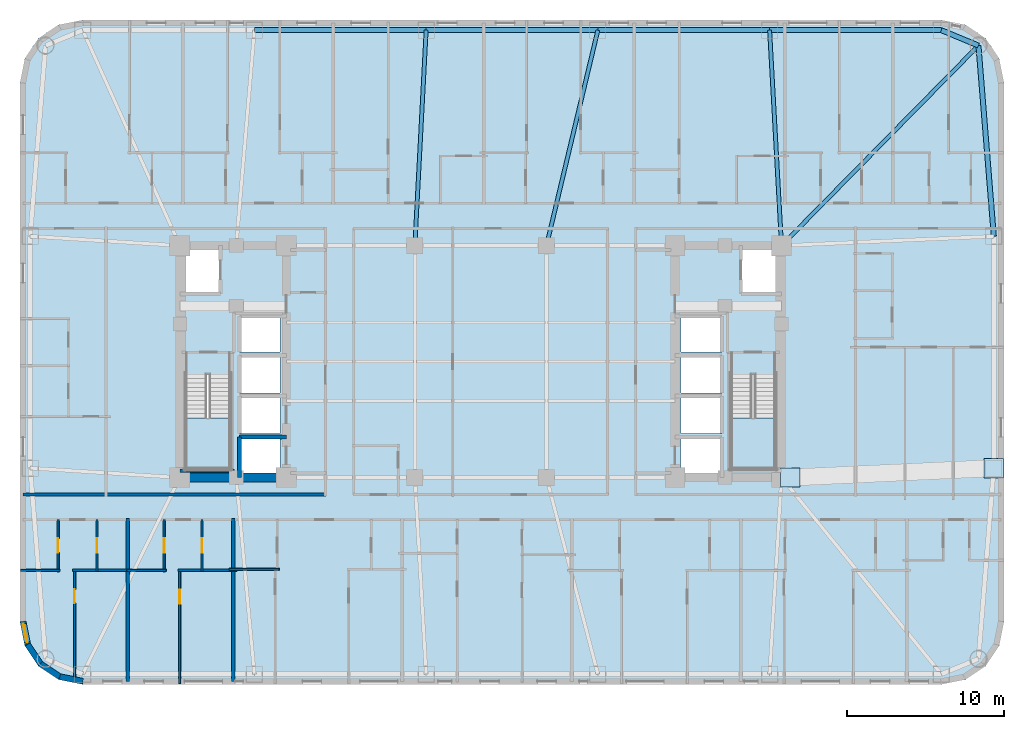
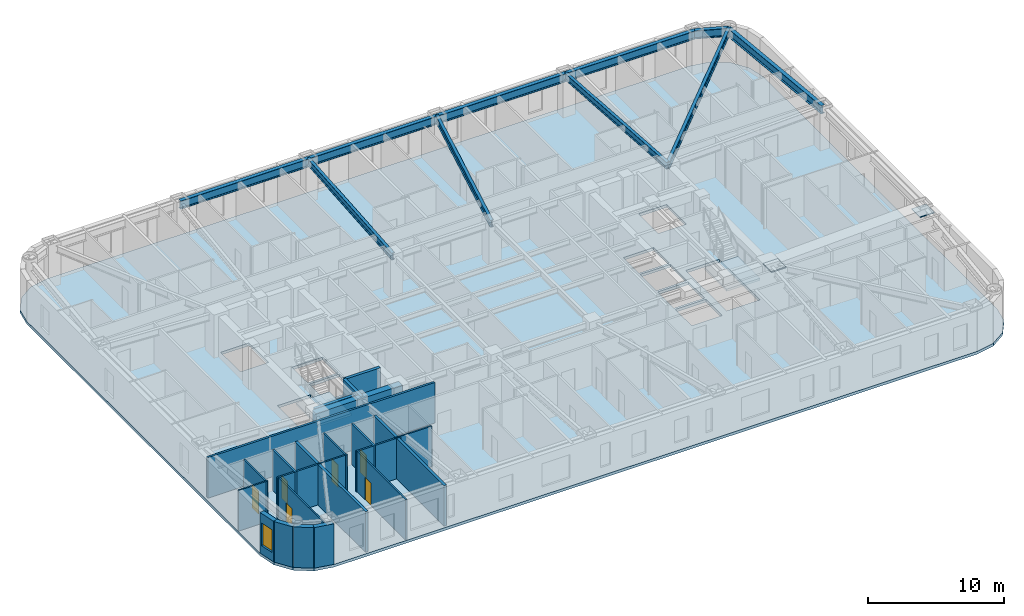
# One storey, part 2 of 11: 22 walls, 10 beams, 6 doors, 3 slabs, 2 plates, 1 window, 7 openings, 2 elements without a shape of their own.
"""IFC4 building model written with IfcOpenShell, lengths in metres."""

from ifc_helpers import new_model, si_unit, direction, frame, frame_2d, origin, origin_2d, place, context, subcontext, project, spatial, polyline, rectangle, i_section, outline, extrude, material, layer, layer_set, material_profile, profile_set, type_object, element, fill, aggregate, save


model = new_model("IFC4")

# Units and contexts
model_context = context("Model", 3, precision=1e-05, world=origin(), true_north=direction((0.0, 1.0)))
body_context = subcontext(model_context, "Body", "Model", "MODEL_VIEW")
ifc_project = project(units=[si_unit("LENGTHUNIT", "METRE"), si_unit("AREAUNIT", "SQUARE_METRE"), si_unit("VOLUMEUNIT", "CUBIC_METRE"), si_unit("PLANEANGLEUNIT", "RADIAN"), si_unit("MASSUNIT", "GRAM", prefix="KILO")], contexts=[model_context])

# Site, building, storey
site_placement = place(None, origin())
site = spatial("IfcSite", under=ifc_project, at=site_placement, CompositionType="ELEMENT")
building_placement = place(site_placement, origin())
building = spatial("IfcBuilding", under=site, at=building_placement, Name="Voryun Gate Residences", CompositionType="ELEMENT")
storey_placement = place(building_placement, frame((0.0, 0.0, 97.5)))
storey = spatial("IfcBuildingStorey", under=building, at=storey_placement, Name="L23", CompositionType="ELEMENT", Elevation=97.5)

# Beams
ifc_material_1 = material(Name="Steel SM355", Category="steel")
ifc_material_profile_1 = material_profile(ifc_material_1, i_section(OverallWidth=0.320068359375, OverallDepth=0.75, WebThickness=0.01611328125, FlangeThickness=0.028076171875, FilletRadius=0.01806640625, at=origin_2d()), Name="H-750x320x16x28")
ifc_profile_set_1 = profile_set([ifc_material_profile_1], Name="Steel SM355")
beam_type_1 = type_object("IfcBeamType", Name="BM_EXO_SPANDREL_L", PredefinedType="SPANDREL", material=ifc_profile_set_1)
beam_1_placement = place(storey_placement, frame((32.75, 7.998046875, 3.27490234375), z_axis=(-0.080359517973, 0.996765944378, 0.0), x_axis=(-0.996765944378, -0.080359517973, 0.0)))
element("IfcBeam", 1, at=beam_1_placement, inside=storey, type_object=beam_type_1, Name="BM-L23-SPAND-09", PredefinedType="SPANDREL", context=body_context, shape_type="SweptSolid", body=[
    extrude(i_section(OverallWidth=0.320068359375, OverallDepth=0.75, WebThickness=0.01611328125, FlangeThickness=0.028076171875, FilletRadius=0.01806640625, at=origin_2d()), origin(), (0.0, 0.0, 1.0), 12.210205078125),
])
beam_2_placement = place(storey_placement, frame((31.768798828125, 20.168701171875, 3.27490234375), z_axis=(-0.923883376753, 0.382674151414, 0.0), x_axis=(-0.382674151414, -0.923883376753, 0.0)))
element("IfcBeam", 2, at=beam_2_placement, inside=storey, type_object=beam_type_1, Name="BM-L23-SPAND-10", PredefinedType="SPANDREL", context=body_context, shape_type="SweptSolid", body=[
    extrude(i_section(OverallWidth=0.320068359375, OverallDepth=0.75, WebThickness=0.01611328125, FlangeThickness=0.028076171875, FilletRadius=0.01806640625, at=origin_2d()), origin(), (0.0, 0.0, 1.0), 2.56396484375),
])
for number, where, z_axis, x_axis, name in (
    (3, (29.39990234375, 21.14990234375, 3.27490234375), (-1.0, 0.0, 0.0), (0.0, -1.0, 0.0), "BM-L23-SPAND-11"),
    (4, (18.43994140625, 21.14990234375, 3.27490234375), (-1.0, 0.0, 0.0), (0.0, -1.0, 0.0), "BM-L23-SPAND-12"),
    (5, (7.47998046875, 21.14990234375, 3.27490234375), (-1.0, 0.0, 0.0), (0.0, -1.0, 0.0), "BM-L23-SPAND-13"),
    (6, (-3.47998046875, 21.14990234375, 3.27490234375), (-1.0, 0.0, 0.0), (0.0, -1.0, 0.0), "BM-L23-SPAND-14"),
):
    element("IfcBeam", number, at=place(storey_placement, frame(where, z_axis=z_axis, x_axis=x_axis)), inside=storey, type_object=beam_type_1, Name=name, PredefinedType="SPANDREL", context=body_context, shape_type="SweptSolid", body=[
        extrude(i_section(OverallWidth=0.320068359375, OverallDepth=0.75, WebThickness=0.01611328125, FlangeThickness=0.028076171875, FilletRadius=0.01806640625, at=origin_2d()), origin(), (0.0, 0.0, 1.0), 10.9599609375),
    ])
ifc_material_2 = material(Name="Steel SM355", Category="steel")
ifc_material_profile_2 = material_profile(ifc_material_2, i_section(OverallWidth=0.25, OverallDepth=0.60009765625, WebThickness=0.011962890625, FlangeThickness=0.02197265625, FilletRadius=0.01806640625, at=origin_2d()), Name="H-600x250x12x22")
ifc_profile_set_2 = profile_set([ifc_material_profile_2], Name="Steel SM355")
beam_type_2 = type_object("IfcBeamType", Name="BM_GIRD_600", PredefinedType="USERDEFINED", material=ifc_profile_set_2)
beam_3_placement = place(storey_placement, frame((19.199951171875, 7.39990234375, 3.35009765625), z_axis=(0.701504829324, 0.712664699866, 0.0), x_axis=(-0.712664699866, 0.701504829324, 0.0)))
element("IfcBeam", 7, at=beam_3_placement, inside=storey, type_object=beam_type_2, Name="BM-L23-RAD-CNE", ObjectType="GIRDER", PredefinedType="USERDEFINED", context=body_context, shape_type="SweptSolid", body=[
    extrude(i_section(OverallWidth=0.25, OverallDepth=0.60009765625, WebThickness=0.011962890625, FlangeThickness=0.02197265625, FilletRadius=0.01806640625, at=origin_2d()), origin(), (0.0, 0.0, 1.0), 17.9169921875),
])
beam_4_placement = place(storey_placement, frame((19.199951171875, 7.39990234375, 3.35009765625), z_axis=(-0.055189196078, 0.9984759149, 0.0), x_axis=(-0.9984759149, -0.055189196078, 0.0)))
element("IfcBeam", 8, at=beam_4_placement, inside=storey, type_object=beam_type_2, Name="BM-L23-RAD-N2", ObjectType="GIRDER", PredefinedType="USERDEFINED", context=body_context, shape_type="SweptSolid", body=[
    extrude(i_section(OverallWidth=0.25, OverallDepth=0.60009765625, WebThickness=0.011962890625, FlangeThickness=0.02197265625, FilletRadius=0.01806640625, at=origin_2d()), origin(), (0.0, 0.0, 1.0), 13.77099609375),
])
beam_5_placement = place(storey_placement, frame((4.199951171875, 7.39990234375, 3.35009765625), z_axis=(0.232036902087, 0.972706983665, 0.0), x_axis=(-0.972706983665, 0.232036902087, 0.0)))
element("IfcBeam", 9, at=beam_5_placement, inside=storey, type_object=beam_type_2, Name="BM-L23-RAD-N3", ObjectType="GIRDER", PredefinedType="USERDEFINED", context=body_context, shape_type="SweptSolid", body=[
    extrude(i_section(OverallWidth=0.25, OverallDepth=0.60009765625, WebThickness=0.011962890625, FlangeThickness=0.02197265625, FilletRadius=0.01806640625, at=origin_2d()), origin(), (0.0, 0.0, 1.0), 14.1357421875),
])
beam_6_placement = place(storey_placement, frame((-4.199951171875, 7.39990234375, 3.35009765625), z_axis=(0.052289872463, 0.998631948837, 0.0), x_axis=(-0.998631948837, 0.052289872463, 0.0)))
element("IfcBeam", 10, at=beam_6_placement, inside=storey, type_object=beam_type_2, Name="BM-L23-RAD-N4", ObjectType="GIRDER", PredefinedType="USERDEFINED", context=body_context, shape_type="SweptSolid", body=[
    extrude(i_section(OverallWidth=0.25, OverallDepth=0.60009765625, WebThickness=0.011962890625, FlangeThickness=0.02197265625, FilletRadius=0.01806640625, at=origin_2d()), origin(), (0.0, 0.0, 1.0), 13.768798828125),
])

# Plates
ifc_material_3 = material(Name="Steel SM355", Category="steel")
ifc_layer_1 = layer(ifc_material_3, 0.02490234375, Name="PLT_END_CAP_25")
ifc_layer_set_1 = layer_set([ifc_layer_1], Name="Steel SM355")
plate_type = type_object("IfcPlateType", Name="PLT_END_CAP_25", PredefinedType="USERDEFINED", material=ifc_layer_set_1)
for number, where, z_axis, x_axis, name in (
    (11, (19.75, -7.39990234375, 3.06005859375), (0.0, 0.0, 1.0), (1.0, 0.0, 0.0), "L23 Hollow Member End-Cap Plate EC-372"),
    (12, (32.75, -6.798095703125, 3.06005859375), (0.0, 0.0, 1.0), (1.0, 0.0, 0.0), "L23 Hollow Member End-Cap Plate EC-373"),
):
    element("IfcPlate", number, at=place(storey_placement, frame(where, z_axis=z_axis, x_axis=x_axis)), inside=storey, type_object=plate_type, Name=name, ObjectType="BASE_PLATE", PredefinedType="USERDEFINED", context=body_context, shape_type="SweptSolid", body=[
        extrude(rectangle(XDim=1.239990234375, YDim=1.239990234375, at=origin_2d()), origin(), (0.0, 0.0, 1.0), 0.080078125),
    ])

# Slab
ifc_material_4 = material(Name="Concrete C40/50", Category="concrete")
ifc_layer_2 = layer(ifc_material_4, 0.25, Name="SLB_RES_250")
ifc_layer_set_2 = layer_set([ifc_layer_2], Name="Concrete C40/50")
slab_type_1 = type_object("IfcSlabType", Name="SLB_RES_250", PredefinedType="FLOOR", material=ifc_layer_set_2)
slab_1_placement = place(storey_placement, frame((0.0, 0.0, -0.25)))
element("IfcSlab", 13, at=slab_1_placement, inside=storey, type_object=slab_type_1, Name="L23 Structural Floor Slab", PredefinedType="FLOOR", context=body_context, shape_type="SweptSolid", body=[
    extrude(outline(polyline([(-25.39990234375, -20.60009765625), (-26.9306640625, -20.29541015625), (-28.228515625, -19.428466796875), (-29.095458984375, -18.130615234375), (-29.39990234375, -16.60009765625), (-29.39990234375, 17.800048828125), (-29.095458984375, 19.330810546875), (-28.228515625, 20.62841796875), (-26.9306640625, 21.49560546875), (-25.39990234375, 21.800048828125), (29.39990234375, 21.800048828125), (30.9306640625, 21.49560546875), (32.228515625, 20.62841796875), (33.095458984375, 19.330810546875), (33.39990234375, 17.800048828125), (33.39990234375, -16.60009765625), (33.095458984375, -18.130615234375), (32.228515625, -19.428466796875), (30.9306640625, -20.29541015625), (29.39990234375, -20.60009765625), (-25.39990234375, -20.60009765625)]), holes=[polyline([(-12.800048828125, -4.800048828125), (-15.39990234375, -4.800048828125), (-15.39990234375, -7.199951171875), (-12.800048828125, -7.199951171875), (-12.800048828125, -4.800048828125)]), polyline([(-18.824951171875, -6.85009765625), (-15.97509765625, -6.85009765625), (-15.97509765625, -0.840087890625), (-18.824951171875, -0.840087890625), (-18.824951171875, -6.85009765625)]), polyline([(-12.800048828125, -4.60009765625), (-12.800048828125, -2.199951171875), (-15.39990234375, -2.199951171875), (-15.39990234375, -4.60009765625), (-12.800048828125, -4.60009765625)]), polyline([(-12.800048828125, 0.39990234375), (-15.39990234375, 0.39990234375), (-15.39990234375, -2.0), (-12.800048828125, -2.0), (-12.800048828125, 0.39990234375)]), polyline([(-12.800048828125, 0.60009765625), (-12.800048828125, 2.89990234375), (-15.39990234375, 2.89990234375), (-15.39990234375, 0.60009765625), (-12.800048828125, 0.60009765625)]), polyline([(-16.60009765625, 4.300048828125), (-16.60009765625, 7.199951171875), (-19.0, 7.199951171875), (-19.0, 4.300048828125), (-16.60009765625, 4.300048828125)]), polyline([(15.39990234375, -4.800048828125), (12.800048828125, -4.800048828125), (12.800048828125, -7.199951171875), (15.39990234375, -7.199951171875), (15.39990234375, -4.800048828125)]), polyline([(15.97509765625, -6.85009765625), (18.824951171875, -6.85009765625), (18.824951171875, -0.840087890625), (15.97509765625, -0.840087890625), (15.97509765625, -6.85009765625)]), polyline([(15.39990234375, -4.60009765625), (15.39990234375, -2.199951171875), (12.800048828125, -2.199951171875), (12.800048828125, -4.60009765625), (15.39990234375, -4.60009765625)]), polyline([(15.39990234375, 0.39990234375), (12.800048828125, 0.39990234375), (12.800048828125, -2.0), (15.39990234375, -2.0), (15.39990234375, 0.39990234375)]), polyline([(15.39990234375, 0.60009765625), (15.39990234375, 2.89990234375), (12.800048828125, 2.89990234375), (12.800048828125, 0.60009765625), (15.39990234375, 0.60009765625)]), polyline([(19.0, 4.300048828125), (19.0, 7.199951171875), (16.60009765625, 7.199951171875), (16.60009765625, 4.300048828125), (19.0, 4.300048828125)])]), origin(), (0.0, 0.0, 1.0), 0.25),
])

# Stair, slab
ifc_material_5 = material(Name="Concrete C40/50", Category="concrete")
stair_type = type_object("IfcStairType", Name="STR_CORE_DOGLEG_1350", PredefinedType="HALF_TURN_STAIR", material=ifc_material_5)
stair_1_placement = place(storey_placement, origin())
stair_1 = element("IfcStair", 14, at=stair_1_placement, inside=storey, type_object=stair_type, Name="L23 Special Escape Stair ST-W1", PredefinedType="HALF_TURN_STAIR")
ifc_material_6 = material(Name="Concrete C40/50", Category="concrete")
ifc_layer_3 = layer(ifc_material_6, 0.199951171875, Name="SLB_STAIR_LANDING_200")
ifc_layer_set_3 = layer_set([ifc_layer_3], Name="Concrete C40/50")
slab_type_2 = type_object("IfcSlabType", Name="SLB_STAIR_LANDING_200", PredefinedType="LANDING", material=ifc_layer_set_3)
slab_2_placement = place(storey_placement, frame((0.0, 0.0, 1.75)))
slab_2 = element("IfcSlab", 15, at=slab_2_placement, type_object=slab_type_2, Name="ST-W1 landing 1", PredefinedType="LANDING", context=body_context, shape_type="SweptSolid", body=[
    extrude(outline(polyline([(-18.824951171875, -3.60009765625), (-18.824951171875, -6.85009765625), (-15.97509765625, -6.85009765625), (-15.97509765625, -3.60009765625), (-18.824951171875, -3.60009765625)])), origin(), (0.0, 0.0, 1.0), 0.199951171875),
])
aggregate(stair_1, [slab_2])

stair_2_placement = place(storey_placement, origin())
stair_2 = element("IfcStair", 16, at=stair_2_placement, inside=storey, type_object=stair_type, Name="L23 Special Escape Stair ST-E1", PredefinedType="HALF_TURN_STAIR")
slab_3_placement = place(storey_placement, frame((0.0, 0.0, 1.75)))
slab_3 = element("IfcSlab", 17, at=slab_3_placement, type_object=slab_type_2, Name="ST-E1 landing 1", PredefinedType="LANDING", context=body_context, shape_type="SweptSolid", body=[
    extrude(outline(polyline([(15.97509765625, -3.60009765625), (15.97509765625, -6.85009765625), (18.824951171875, -6.85009765625), (18.824951171875, -3.60009765625), (15.97509765625, -3.60009765625)])), origin(), (0.0, 0.0, 1.0), 0.199951171875),
])
aggregate(stair_2, [slab_3])

# Walls
ifc_material_7 = material(Name="Concrete C60/75", Category="concrete")
ifc_layer_4 = layer(ifc_material_7, 0.550048828125, Name="CW_CORE_550")
ifc_layer_set_4 = layer_set([ifc_layer_4], Name="Concrete C60/75")
wall_type_1 = type_object("IfcWallType", Name="CW_CORE_550", PredefinedType="SHEAR", material=ifc_layer_set_4)
wall_1_placement = place(storey_placement, frame((-19.47509765625, -7.39990234375, 0.0), z_axis=(0.0, 0.0, 1.0), x_axis=(1.0, 0.0, 0.0)))
element("IfcWall", 18, at=wall_1_placement, inside=storey, type_object=wall_type_1, Name="L23 Core shear wall CW-L23-WS", PredefinedType="SHEAR", context=body_context, shape_type="SweptSolid", body=[
    extrude(rectangle(XDim=7.35009765625, YDim=0.550048828125, at=frame_2d((3.675048828125, 0.0))), origin(), (0.0, 0.0, 1.0), 3.64990234375),
])
ifc_material_8 = material(Name="Gypsum acoustic fireboard")
ifc_layer_5 = layer(ifc_material_8, 0.179931640625, Name="W_CORR_RATED_180")
ifc_layer_set_5 = layer_set([ifc_layer_5], Name="Gypsum acoustic fireboard")
wall_type_2 = type_object("IfcWallType", Name="W_CORR_RATED_180", PredefinedType="PARTITIONING", material=ifc_layer_set_5)
wall_2_placement = place(storey_placement, frame((-29.2099609375, -8.489990234375, 0.0), z_axis=(0.0, 0.0, 1.0), x_axis=(1.0, 0.0, 0.0)))
element("IfcWall", 19, at=wall_2_placement, inside=storey, type_object=wall_type_2, Name="Partition wall WP-L23-CWING-WS", PredefinedType="PARTITIONING", context=body_context, shape_type="SweptSolid", body=[
    extrude(rectangle(XDim=19.330078125, YDim=0.179931640625, at=frame_2d((9.6650390625, 0.0))), origin(), (0.0, 0.0, 1.0), 3.64990234375),
])
ifc_material_9 = material(Name="Granite masonry", Category="masonry")
ifc_layer_6 = layer(ifc_material_9, 0.3798828125, Name="W_EXT_GRANITE_380")
ifc_layer_set_6 = layer_set([ifc_layer_6], Name="Granite masonry")
wall_type_3 = type_object("IfcWallType", Name="W_EXT_GRANITE_380", PredefinedType="ELEMENTEDWALL", material=ifc_layer_set_6)
wall_3_placement = place(storey_placement, frame((-25.38134765625, -20.409912109375, 0.0), z_axis=(0.0, 0.0, 1.0), x_axis=(-0.980786132421, 0.195086038585, 0.0)))
element("IfcWall", 20, at=wall_3_placement, inside=storey, type_object=wall_type_3, Name="Exterior wall WEXT-L23-02", PredefinedType="ELEMENTEDWALL", context=body_context, shape_type="SweptSolid", body=[
    extrude(rectangle(XDim=1.504150390625, YDim=0.3798828125, at=frame_2d((0.751953125, 0.0))), origin(), (0.0, 0.0, 1.0), 3.64990234375),
])
wall_4_placement = place(storey_placement, frame((-26.856689453125, -20.116455078125, 0.0), z_axis=(0.0, 0.0, 1.0), x_axis=(-0.831468045563, 0.555572577804, 0.0)))
element("IfcWall", 21, at=wall_4_placement, inside=storey, type_object=wall_type_3, Name="Exterior wall WEXT-L23-03", PredefinedType="ELEMENTEDWALL", context=body_context, shape_type="SweptSolid", body=[
    extrude(rectangle(XDim=1.48486328125, YDim=0.3798828125, at=frame_2d((0.742431640625, 0.0))), origin(), (0.0, 0.0, 1.0), 3.64990234375),
])
wall_5_placement = place(storey_placement, frame((-28.09130859375, -19.29150390625, 0.0), z_axis=(0.0, 0.0, 1.0), x_axis=(-0.555610286119, 0.831442848281, 0.0)))
element("IfcWall", 22, at=wall_5_placement, inside=storey, type_object=wall_type_3, Name="Exterior wall WEXT-L23-04", PredefinedType="ELEMENTEDWALL", context=body_context, shape_type="SweptSolid", body=[
    extrude(rectangle(XDim=1.485107421875, YDim=0.3798828125, at=frame_2d((0.74267578125, 0.0))), origin(), (0.0, 0.0, 1.0), 3.64990234375),
])

# Wall, opening, window
wall_6_placement = place(storey_placement, frame((-28.91650390625, -18.056640625, 0.0), z_axis=(0.0, 0.0, 1.0), x_axis=(-0.195086038585, 0.980786132421, 0.0)))
wall_6 = element("IfcWall", 23, at=wall_6_placement, inside=storey, type_object=wall_type_3, Name="Exterior wall WEXT-L23-05", PredefinedType="ELEMENTEDWALL", context=body_context, shape_type="SweptSolid", body=[
    extrude(rectangle(XDim=1.504150390625, YDim=0.3798828125, at=frame_2d((0.751953125, 0.0))), origin(), (0.0, 0.0, 1.0), 3.64990234375),
])
opening_1_placement = place(wall_6_placement, frame((0.152099609375, 0.0, 0.75)))
opening_1 = element("IfcOpeningElement", 24, at=opening_1_placement, cuts=wall_6, Name="Opening WN6", PredefinedType="OPENING", context=body_context, shape_type="SweptSolid", body=[
    extrude(rectangle(XDim=1.199951171875, YDim=2.050048828125, at=frame_2d((0.60009765625, 1.02490234375))), frame((0.0, 0.199951171875, 0.0), z_axis=(0.0, -1.0, 0.0), x_axis=(1.0, 0.0, 0.0)), (0.0, 0.0, 1.0), 0.39990234375),
])
ifc_material_10 = material(Name="Laminated low-E glass", Category="glass")
window_type = type_object("IfcWindowType", Name="WN_POD_SLOT_1200", PartitioningType="SINGLE_PANEL", PredefinedType="WINDOW", material=ifc_material_10)
window_placement = place(opening_1_placement, origin())
window = element("IfcWindow", 25, at=window_placement, inside=storey, type_object=window_type, Name="Window WN-L23-DWFIX-16", OverallHeight=2.050048828125, OverallWidth=1.199951171875, PartitioningType="SINGLE_PANEL", PredefinedType="WINDOW", context=body_context, shape_type="SweptSolid", body=[
    extrude(rectangle(XDim=1.199951171875, YDim=2.050048828125, at=frame_2d((0.60009765625, 1.02490234375))), frame((0.0, 0.030029296875, 0.0), z_axis=(0.0, -1.0, 0.0), x_axis=(1.0, 0.0, 0.0)), (0.0, 0.0, 1.0), 0.06005859375),
])
fill(opening_1, window)

# Walls
ifc_material_11 = material(Name="Concrete C40/50", Category="concrete")
ifc_layer_7 = layer(ifc_material_11, 0.219970703125, Name="W_PARTY_ACOUSTIC_220")
ifc_layer_set_7 = layer_set([ifc_layer_7], Name="Concrete C40/50")
wall_type_4 = type_object("IfcWallType", Name="W_PARTY_ACOUSTIC_220", PredefinedType="PARTITIONING", material=ifc_layer_set_7)
for number, where, z_axis, x_axis, name in (
    (26, (-22.509033203125, -20.409912109375, 0.0), (0.0, 0.0, 1.0), (0.0, 1.0, 0.0), "Partition wall WP-L23-SPTY-1"),
    (27, (-15.800048828125, -20.409912109375, 0.0), (0.0, 0.0, 1.0), (0.0, 1.0, 0.0), "Partition wall WP-L23-SPTY-2"),
):
    element("IfcWall", number, at=place(storey_placement, frame(where, z_axis=z_axis, x_axis=x_axis)), inside=storey, type_object=wall_type_4, Name=name, PredefinedType="PARTITIONING", context=body_context, shape_type="SweptSolid", body=[
        extrude(rectangle(XDim=10.389892578125, YDim=0.219970703125, at=frame_2d((5.19482421875, 0.0))), origin(), (0.0, 0.0, 1.0), 3.64990234375),
    ])
ifc_material_12 = material(Name="Concrete C50/60", Category="concrete")
ifc_layer_8 = layer(ifc_material_12, 0.25, Name="W_SHAFT_RC250")
ifc_layer_set_8 = layer_set([ifc_layer_8], Name="Concrete C50/60")
wall_type_5 = type_object("IfcWallType", Name="W_SHAFT_RC250", PredefinedType="SOLIDWALL", material=ifc_layer_set_8)
wall_7_placement = place(storey_placement, frame((-19.199951171875, -6.965087890625, 0.0), z_axis=(0.0, 0.0, 1.0), x_axis=(1.0, 0.0, 0.0)))
element("IfcWall", 28, at=wall_7_placement, inside=storey, type_object=wall_type_5, Name="L23 Stair shaft structural wall W-STS", PredefinedType="SOLIDWALL", context=body_context, shape_type="SweptSolid", body=[
    extrude(rectangle(XDim=3.4599609375, YDim=0.25, at=frame_2d((1.72998046875, 0.0))), origin(), (0.0, 0.0, 1.0), 3.64990234375),
])
wall_8_placement = place(storey_placement, frame((-12.39990234375, -4.800048828125, 0.0), z_axis=(0.0, 0.0, 1.0), x_axis=(-1.0, 0.0, 0.0)))
element("IfcWall", 29, at=wall_8_placement, inside=storey, type_object=wall_type_5, Name="Lift shaft wall WSH-L23-EL-P1-N", PredefinedType="SOLIDWALL", context=body_context, shape_type="SweptSolid", body=[
    extrude(rectangle(XDim=3.0, YDim=0.25, at=frame_2d((1.5, 0.0))), origin(), (0.0, 0.0, 1.0), 3.64990234375),
])
wall_9_placement = place(storey_placement, frame((-15.39990234375, -4.800048828125, 0.0), z_axis=(0.0, 0.0, 1.0), x_axis=(0.0, -1.0, 0.0)))
element("IfcWall", 30, at=wall_9_placement, inside=storey, type_object=wall_type_5, Name="Lift shaft wall WSH-L23-EL-P1-W", PredefinedType="SOLIDWALL", context=body_context, shape_type="SweptSolid", body=[
    extrude(rectangle(XDim=2.599853515625, YDim=0.25, at=frame_2d((1.2998046875, 0.0))), origin(), (0.0, 0.0, 1.0), 3.64990234375),
])

# Wall, opening, door
ifc_material_13 = material(Name="Gypsum acoustic partition")
ifc_layer_9 = layer(ifc_material_13, 0.125, Name="W_UNIT_PART_125")
ifc_layer_set_9 = layer_set([ifc_layer_9], Name="Gypsum acoustic partition")
wall_type_6 = type_object("IfcWallType", Name="W_UNIT_PART_125", PredefinedType="PARTITIONING", material=ifc_layer_set_9)
wall_10_placement = place(storey_placement, frame((-25.9189453125, -20.4560546875, 0.0), z_axis=(0.0, 0.0, 1.0), x_axis=(0.0, 1.0, 0.0)))
wall_10 = element("IfcWall", 31, at=wall_10_placement, inside=storey, type_object=wall_type_6, Name="Partition wall WP-L23-S1-OVR", PredefinedType="PARTITIONING", context=body_context, shape_type="SweptSolid", body=[
    extrude(rectangle(XDim=7.216064453125, YDim=0.125, at=frame_2d((3.60791015625, 0.0))), origin(), (0.0, 0.0, 1.0), 3.64990234375),
])
opening_2_placement = place(wall_10_placement, frame((5.0341796875, 0.0, 0.0)))
opening_2 = element("IfcOpeningElement", 32, at=opening_2_placement, cuts=wall_10, Name="Opening D-INT-2", PredefinedType="OPENING", context=body_context, shape_type="SweptSolid", body=[
    extrude(rectangle(XDim=0.89990234375, YDim=2.050048828125, at=frame_2d((0.449951171875, 1.02490234375))), frame((0.0, 0.072509765625, 0.0), z_axis=(0.0, -1.0, 0.0), x_axis=(1.0, 0.0, 0.0)), (0.0, 0.0, 1.0), 0.14501953125),
])
ifc_material_14 = material(Name="Architectural oak veneer")
door_type_1 = type_object("IfcDoorType", Name="DR_INT_BATH_900", OperationType="NOTDEFINED", PredefinedType="DOOR", material=ifc_material_14)
door_1_placement = place(opening_2_placement, origin())
door_1 = element("IfcDoor", 33, at=door_1_placement, inside=storey, type_object=door_type_1, Name="Door DR-L23-S1-DMB", OperationType="SINGLE_SWING_RIGHT", OverallHeight=2.050048828125, OverallWidth=0.89990234375, PredefinedType="DOOR", context=body_context, shape_type="SweptSolid", body=[
    extrude(rectangle(XDim=0.89990234375, YDim=2.050048828125, at=frame_2d((0.449951171875, 1.02490234375))), frame((0.0, 0.02490234375, 0.0), z_axis=(0.0, -1.0, 0.0), x_axis=(1.0, 0.0, 0.0)), (0.0, 0.0, 1.0), 0.050048828125),
])
fill(opening_2, door_1)

wall_11_placement = place(storey_placement, frame((-26.968017578125, -13.39990234375, 0.0), z_axis=(0.0, 0.0, 1.0), x_axis=(0.0, 1.0, 0.0)))
wall_11 = element("IfcWall", 34, at=wall_11_placement, inside=storey, type_object=wall_type_6, Name="Partition wall WP-L23-S1-IVK", PredefinedType="PARTITIONING", context=body_context, shape_type="SweptSolid", body=[
    extrude(rectangle(XDim=3.31982421875, YDim=0.125, at=frame_2d((1.659912109375, 0.0))), origin(), (0.0, 0.0, 1.0), 3.64990234375),
])
opening_3_placement = place(wall_11_placement, frame((1.18505859375, 0.0, 0.0)))
opening_3 = element("IfcOpeningElement", 35, at=opening_3_placement, cuts=wall_11, Name="Opening D-INT-1", PredefinedType="OPENING", context=body_context, shape_type="SweptSolid", body=[
    extrude(rectangle(XDim=0.949951171875, YDim=2.050048828125, at=frame_2d((0.47509765625, 1.02490234375))), frame((0.0, 0.072509765625, 0.0), z_axis=(0.0, -1.0, 0.0), x_axis=(1.0, 0.0, 0.0)), (0.0, 0.0, 1.0), 0.14501953125),
])
ifc_material_15 = material(Name="Architectural oak veneer")
door_type_2 = type_object("IfcDoorType", Name="DR_INT_ROOM_950", OperationType="NOTDEFINED", PredefinedType="DOOR", material=ifc_material_15)
door_2_placement = place(opening_3_placement, origin())
door_2 = element("IfcDoor", 36, at=door_2_placement, inside=storey, type_object=door_type_2, Name="Door DR-L23-S1-DK", OperationType="SINGLE_SWING_LEFT", OverallHeight=2.050048828125, OverallWidth=0.949951171875, PredefinedType="DOOR", context=body_context, shape_type="SweptSolid", body=[
    extrude(rectangle(XDim=0.949951171875, YDim=2.050048828125, at=frame_2d((0.47509765625, 1.02490234375))), frame((0.0, 0.02490234375, 0.0), z_axis=(0.0, -1.0, 0.0), x_axis=(1.0, 0.0, 0.0)), (0.0, 0.0, 1.0), 0.050048828125),
])
fill(opening_3, door_2)

# Wall
wall_12_placement = place(storey_placement, frame((-29.360107421875, -13.320068359375, 0.0), z_axis=(0.0, 0.0, 1.0), x_axis=(1.0, 0.0, 0.0)))
element("IfcWall", 37, at=wall_12_placement, inside=storey, type_object=wall_type_6, Name="Partition wall WP-L23-S1-HZK", PredefinedType="PARTITIONING", context=body_context, shape_type="SweptSolid", body=[
    extrude(rectangle(XDim=2.51220703125, YDim=0.125, at=frame_2d((1.256103515625, 0.0))), origin(), (0.0, 0.0, 1.0), 3.64990234375),
])

# Wall, opening, door
wall_13_placement = place(storey_placement, frame((-19.2099609375, -20.56005859375, 0.0), z_axis=(0.0, 0.0, 1.0), x_axis=(0.0, 1.0, 0.0)))
wall_13 = element("IfcWall", 38, at=wall_13_placement, inside=storey, type_object=wall_type_6, Name="Partition wall WP-L23-S2-OVR", PredefinedType="PARTITIONING", context=body_context, shape_type="SweptSolid", body=[
    extrude(rectangle(XDim=7.320068359375, YDim=0.125, at=frame_2d((3.66015625, 0.0))), origin(), (0.0, 0.0, 1.0), 3.64990234375),
])
opening_4_placement = place(wall_13_placement, frame((5.11328125, 0.0, 0.0)))
opening_4 = element("IfcOpeningElement", 39, at=opening_4_placement, cuts=wall_13, Name="Opening D-INT-2", PredefinedType="OPENING", context=body_context, shape_type="SweptSolid", body=[
    extrude(rectangle(XDim=0.89990234375, YDim=2.050048828125, at=frame_2d((0.449951171875, 1.02490234375))), frame((0.0, 0.072509765625, 0.0), z_axis=(0.0, -1.0, 0.0), x_axis=(1.0, 0.0, 0.0)), (0.0, 0.0, 1.0), 0.14501953125),
])
door_3_placement = place(opening_4_placement, origin())
door_3 = element("IfcDoor", 40, at=door_3_placement, inside=storey, type_object=door_type_1, Name="Door DR-L23-S2-DMB", OperationType="SINGLE_SWING_RIGHT", OverallHeight=2.050048828125, OverallWidth=0.89990234375, PredefinedType="DOOR", context=body_context, shape_type="SweptSolid", body=[
    extrude(rectangle(XDim=0.89990234375, YDim=2.050048828125, at=frame_2d((0.449951171875, 1.02490234375))), frame((0.0, 0.02490234375, 0.0), z_axis=(0.0, -1.0, 0.0), x_axis=(1.0, 0.0, 0.0)), (0.0, 0.0, 1.0), 0.050048828125),
])
fill(opening_4, door_3)

wall_14_placement = place(storey_placement, frame((-20.198974609375, -13.39990234375, 0.0), z_axis=(0.0, 0.0, 1.0), x_axis=(0.0, 1.0, 0.0)))
wall_14 = element("IfcWall", 41, at=wall_14_placement, inside=storey, type_object=wall_type_6, Name="Partition wall WP-L23-S2-IVK", PredefinedType="PARTITIONING", context=body_context, shape_type="SweptSolid", body=[
    extrude(rectangle(XDim=3.31982421875, YDim=0.125, at=frame_2d((1.659912109375, 0.0))), origin(), (0.0, 0.0, 1.0), 3.64990234375),
])
opening_5_placement = place(wall_14_placement, frame((1.18505859375, 0.0, 0.0)))
opening_5 = element("IfcOpeningElement", 42, at=opening_5_placement, cuts=wall_14, Name="Opening D-INT-1", PredefinedType="OPENING", context=body_context, shape_type="SweptSolid", body=[
    extrude(rectangle(XDim=0.949951171875, YDim=2.050048828125, at=frame_2d((0.47509765625, 1.02490234375))), frame((0.0, 0.072509765625, 0.0), z_axis=(0.0, -1.0, 0.0), x_axis=(1.0, 0.0, 0.0)), (0.0, 0.0, 1.0), 0.14501953125),
])
door_4_placement = place(opening_5_placement, origin())
door_4 = element("IfcDoor", 43, at=door_4_placement, inside=storey, type_object=door_type_2, Name="Door DR-L23-S2-DK", OperationType="SINGLE_SWING_LEFT", OverallHeight=2.050048828125, OverallWidth=0.949951171875, PredefinedType="DOOR", context=body_context, shape_type="SweptSolid", body=[
    extrude(rectangle(XDim=0.949951171875, YDim=2.050048828125, at=frame_2d((0.47509765625, 1.02490234375))), frame((0.0, 0.02490234375, 0.0), z_axis=(0.0, -1.0, 0.0), x_axis=(1.0, 0.0, 0.0)), (0.0, 0.0, 1.0), 0.050048828125),
])
fill(opening_5, door_4)

# Walls
wall_15_placement = place(storey_placement, frame((-22.583984375, -13.320068359375, 0.0), z_axis=(0.0, 0.0, 1.0), x_axis=(1.0, 0.0, 0.0)))
element("IfcWall", 44, at=wall_15_placement, inside=storey, type_object=wall_type_6, Name="Partition wall WP-L23-S2-HZK", PredefinedType="PARTITIONING", context=body_context, shape_type="SweptSolid", body=[
    extrude(rectangle(XDim=2.5048828125, YDim=0.125, at=frame_2d((1.25244140625, 0.0))), origin(), (0.0, 0.0, 1.0), 3.64990234375),
])
wall_16_placement = place(storey_placement, frame((-16.06005859375, -13.260986328125, 0.0), z_axis=(0.0, 0.0, 1.0), x_axis=(1.0, 0.0, 0.0)))
element("IfcWall", 45, at=wall_16_placement, inside=storey, type_object=wall_type_6, Name="Partition wall WP-L23-S3-HZK", PredefinedType="PARTITIONING", context=body_context, shape_type="SweptSolid", body=[
    extrude(rectangle(XDim=3.195068359375, YDim=0.125, at=frame_2d((1.59765625, 0.0))), origin(), (0.0, 0.0, 1.0), 3.64990234375),
])
ifc_material_16 = material(Name="Gypsum moisture-resistant partition")
ifc_layer_10 = layer(ifc_material_16, 0.14990234375, Name="W_WET_PLUMB_150")
ifc_layer_set_10 = layer_set([ifc_layer_10], Name="Gypsum moisture-resistant partition")
wall_type_7 = type_object("IfcWallType", Name="W_WET_PLUMB_150", PredefinedType="PLUMBINGWALL", material=ifc_layer_set_10)
wall_17_placement = place(storey_placement, frame((-26.0390625, -13.320068359375, 0.0), z_axis=(0.0, 0.0, 1.0), x_axis=(1.0, 0.0, 0.0)))
element("IfcWall", 46, at=wall_17_placement, inside=storey, type_object=wall_type_7, Name="Partition wall WP-L23-S1-HZB", PredefinedType="PLUMBINGWALL", context=body_context, shape_type="SweptSolid", body=[
    extrude(rectangle(XDim=3.60498046875, YDim=0.14990234375, at=frame_2d((1.802490234375, 0.0))), origin(), (0.0, 0.0, 1.0), 3.64990234375),
])

# Wall, opening, door
wall_18_placement = place(storey_placement, frame((-24.489013671875, -13.39990234375, 0.0), z_axis=(0.0, 0.0, 1.0), x_axis=(0.0, 1.0, 0.0)))
wall_18 = element("IfcWall", 47, at=wall_18_placement, inside=storey, type_object=wall_type_7, Name="Partition wall WP-L23-S1-IVB", PredefinedType="PLUMBINGWALL", context=body_context, shape_type="SweptSolid", body=[
    extrude(rectangle(XDim=3.31982421875, YDim=0.14990234375, at=frame_2d((1.659912109375, 0.0))), origin(), (0.0, 0.0, 1.0), 3.64990234375),
])
opening_6_placement = place(wall_18_placement, frame((1.2099609375, 0.0, 0.0)))
opening_6 = element("IfcOpeningElement", 48, at=opening_6_placement, cuts=wall_18, Name="Opening D-INT-2", PredefinedType="OPENING", context=body_context, shape_type="SweptSolid", body=[
    extrude(rectangle(XDim=0.89990234375, YDim=2.050048828125, at=frame_2d((0.449951171875, 1.02490234375))), frame((0.0, 0.0849609375, 0.0), z_axis=(0.0, -1.0, 0.0), x_axis=(1.0, 0.0, 0.0)), (0.0, 0.0, 1.0), 0.169921875),
])
door_5_placement = place(opening_6_placement, origin())
door_5 = element("IfcDoor", 49, at=door_5_placement, inside=storey, type_object=door_type_1, Name="Door DR-L23-S1-DB", OperationType="SINGLE_SWING_RIGHT", OverallHeight=2.050048828125, OverallWidth=0.89990234375, PredefinedType="DOOR", context=body_context, shape_type="SweptSolid", body=[
    extrude(rectangle(XDim=0.89990234375, YDim=2.050048828125, at=frame_2d((0.449951171875, 1.02490234375))), frame((0.0, 0.02490234375, 0.0), z_axis=(0.0, -1.0, 0.0), x_axis=(1.0, 0.0, 0.0)), (0.0, 0.0, 1.0), 0.050048828125),
])
fill(opening_6, door_5)

# Wall
wall_19_placement = place(storey_placement, frame((-19.330078125, -13.320068359375, 0.0), z_axis=(0.0, 0.0, 1.0), x_axis=(1.0, 0.0, 0.0)))
element("IfcWall", 50, at=wall_19_placement, inside=storey, type_object=wall_type_7, Name="Partition wall WP-L23-S2-HZB", PredefinedType="PLUMBINGWALL", context=body_context, shape_type="SweptSolid", body=[
    extrude(rectangle(XDim=3.7900390625, YDim=0.14990234375, at=frame_2d((1.89501953125, 0.0))), origin(), (0.0, 0.0, 1.0), 3.64990234375),
])

# Wall, opening, door
wall_20_placement = place(storey_placement, frame((-17.780029296875, -13.39990234375, 0.0), z_axis=(0.0, 0.0, 1.0), x_axis=(0.0, 1.0, 0.0)))
wall_20 = element("IfcWall", 51, at=wall_20_placement, inside=storey, type_object=wall_type_7, Name="Partition wall WP-L23-S2-IVB", PredefinedType="PLUMBINGWALL", context=body_context, shape_type="SweptSolid", body=[
    extrude(rectangle(XDim=3.31982421875, YDim=0.14990234375, at=frame_2d((1.659912109375, 0.0))), origin(), (0.0, 0.0, 1.0), 3.64990234375),
])
opening_7_placement = place(wall_20_placement, frame((1.2099609375, 0.0, 0.0)))
opening_7 = element("IfcOpeningElement", 52, at=opening_7_placement, cuts=wall_20, Name="Opening D-INT-2", PredefinedType="OPENING", context=body_context, shape_type="SweptSolid", body=[
    extrude(rectangle(XDim=0.89990234375, YDim=2.050048828125, at=frame_2d((0.449951171875, 1.02490234375))), frame((0.0, 0.0849609375, 0.0), z_axis=(0.0, -1.0, 0.0), x_axis=(1.0, 0.0, 0.0)), (0.0, 0.0, 1.0), 0.169921875),
])
door_6_placement = place(opening_7_placement, origin())
door_6 = element("IfcDoor", 53, at=door_6_placement, inside=storey, type_object=door_type_1, Name="Door DR-L23-S2-DB", OperationType="SINGLE_SWING_RIGHT", OverallHeight=2.050048828125, OverallWidth=0.89990234375, PredefinedType="DOOR", context=body_context, shape_type="SweptSolid", body=[
    extrude(rectangle(XDim=0.89990234375, YDim=2.050048828125, at=frame_2d((0.449951171875, 1.02490234375))), frame((0.0, 0.02490234375, 0.0), z_axis=(0.0, -1.0, 0.0), x_axis=(1.0, 0.0, 0.0)), (0.0, 0.0, 1.0), 0.050048828125),
])
fill(opening_7, door_6)

save(model, "model.ifc")
